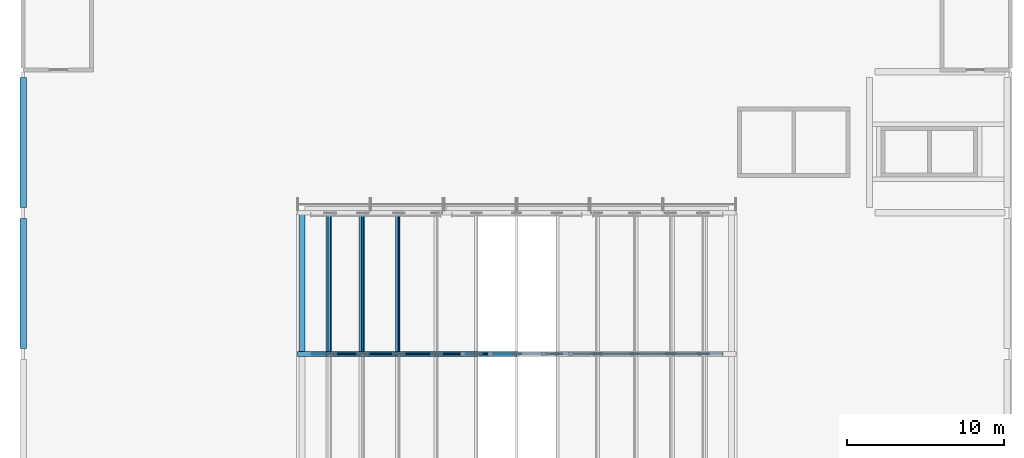
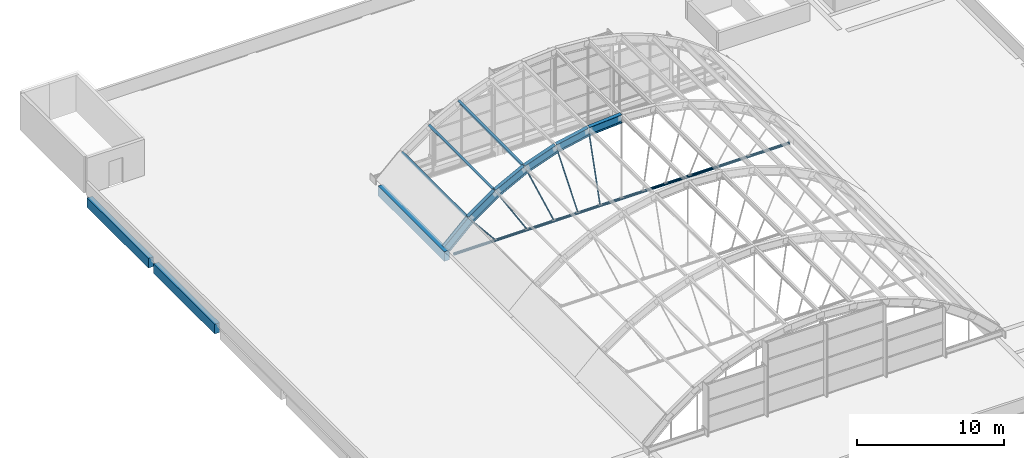
# One storey, part 12 of 43: 9 beams, 9 members.
"""IFC4 building model written with IfcOpenShell, lengths in metres."""

from ifc_helpers import new_model, si_unit, direction, frame, origin, origin_2d, place, context, subcontext, project, spatial, rectangle, hollow_circle, i_section, extrude, material, material_profile, profile_set, type_object, element, save


model = new_model("IFC4")

# Units and contexts
model_context = context("Model", 3, precision=1e-05, world=origin(), true_north=direction((0.0, 1.0)))
body_context = subcontext(model_context, "Body", "Model", "MODEL_VIEW")
ifc_project = project(units=[si_unit("LENGTHUNIT", "METRE"), si_unit("AREAUNIT", "SQUARE_METRE"), si_unit("VOLUMEUNIT", "CUBIC_METRE"), si_unit("PLANEANGLEUNIT", "RADIAN"), si_unit("MASSUNIT", "GRAM", prefix="KILO")], contexts=[model_context])

# Site, building, storey
site_placement = place(None, origin())
site = spatial("IfcSite", under=ifc_project, at=site_placement, CompositionType="ELEMENT")
building_placement = place(site_placement, origin())
building = spatial("IfcBuilding", under=site, at=building_placement, Name="Guidao Yard Department Store", CompositionType="ELEMENT")
storey_placement = place(building_placement, frame((0.0, 0.0, 28.5)))
storey = spatial("IfcBuildingStorey", under=building, at=storey_placement, Name="L06", CompositionType="ELEMENT", Elevation=28.5)

# Members
ifc_material_1 = material(Name="Steel Q355B", Category="steel")
ifc_material_profile_1 = material_profile(ifc_material_1, hollow_circle(Radius=0.056884765625, WallThickness=0.006103515625, at=origin_2d()), Name="CHS 114x6")
ifc_profile_set_1 = profile_set([ifc_material_profile_1], Name="Steel Q355B")
member_type_1 = type_object("IfcMemberType", Name="CHS 114x6", PredefinedType="BRACE", material=ifc_profile_set_1)
member_1_placement = place(storey_placement, frame((21.531982421875, 81.0, -0.33447265625), z_axis=(-0.634904146186, 0.0, 0.772590917081), x_axis=(0.0, -1.0, 0.0)))
element("IfcMember", 1, at=member_1_placement, inside=storey, type_object=member_type_1, Name="Roof web strut A04-01", PredefinedType="BRACE", context=body_context, shape_type="SweptSolid", body=[
    extrude(hollow_circle(Radius=0.056884765625, WallThickness=0.006103515625, at=origin_2d()), origin(), (0.0, 0.0, 1.0), 2.686279296875),
])
member_2_placement = place(storey_placement, frame((24.040283203125, 81.0, -0.33447265625), z_axis=(-0.522090893474, 0.0, 0.852889851594), x_axis=(0.0, -1.0, 0.0)))
element("IfcMember", 2, at=member_2_placement, inside=storey, type_object=member_type_1, Name="Roof web strut A04-02", PredefinedType="BRACE", context=body_context, shape_type="SweptSolid", body=[
    extrude(hollow_circle(Radius=0.056884765625, WallThickness=0.006103515625, at=origin_2d()), origin(), (0.0, 0.0, 1.0), 4.14404296875),
])
member_3_placement = place(storey_placement, frame((26.164306640625, 81.0, -0.33447265625), z_axis=(-0.399904458312, 0.0, 0.916556830874), x_axis=(0.0, -1.0, 0.0)))
element("IfcMember", 3, at=member_3_placement, inside=storey, type_object=member_type_1, Name="Roof web strut A04-03", PredefinedType="BRACE", context=body_context, shape_type="SweptSolid", body=[
    extrude(hollow_circle(Radius=0.056884765625, WallThickness=0.006103515625, at=origin_2d()), origin(), (0.0, 0.0, 1.0), 5.127685546875),
])
member_4_placement = place(storey_placement, frame((28.053955078125, 81.0, -0.33447265625), z_axis=(-0.270550525701, 0.0, 0.962705776986), x_axis=(0.0, -1.0, 0.0)))
element("IfcMember", 4, at=member_4_placement, inside=storey, type_object=member_type_1, Name="Roof web strut A04-04", PredefinedType="BRACE", context=body_context, shape_type="SweptSolid", body=[
    extrude(hollow_circle(Radius=0.056884765625, WallThickness=0.006103515625, at=origin_2d()), origin(), (0.0, 0.0, 1.0), 5.763427734375),
])
member_5_placement = place(storey_placement, frame((29.80810546875, 81.0, -0.33447265625), z_axis=(-0.136467360836, 0.0, 0.990644567656), x_axis=(0.0, -1.0, 0.0)))
element("IfcMember", 5, at=member_5_placement, inside=storey, type_object=member_type_1, Name="Roof web strut A04-05", PredefinedType="BRACE", context=body_context, shape_type="SweptSolid", body=[
    extrude(hollow_circle(Radius=0.056884765625, WallThickness=0.006103515625, at=origin_2d()), origin(), (0.0, 0.0, 1.0), 6.1220703125),
])
ifc_material_2 = material(Name="Steel Q355B", Category="steel")
ifc_material_profile_2 = material_profile(ifc_material_2, hollow_circle(Radius=0.109619140625, WallThickness=0.010009765625, at=origin_2d()), Name="CHS 219x10")
ifc_profile_set_2 = profile_set([ifc_material_profile_2], Name="Steel Q355B")
member_type_2 = type_object("IfcMemberType", Name="CHS 219x10", PredefinedType="BRACE", material=ifc_profile_set_2)
member_6_placement = place(storey_placement, frame((18.35009765625, 81.0, -0.449951171875), z_axis=(1.0, 0.0, 0.0), x_axis=(0.0, 1.0, 0.0)))
element("IfcMember", 6, at=member_6_placement, inside=storey, type_object=member_type_2, Name="Roof tie rod A04", PredefinedType="BRACE", context=body_context, shape_type="SweptSolid", body=[
    extrude(hollow_circle(Radius=0.109619140625, WallThickness=0.010009765625, at=origin_2d()), origin(), (0.0, 0.0, 1.0), 26.2998046875),
])
ifc_material_3 = material(Name="Steel Q355B", Category="steel")
ifc_material_profile_3 = material_profile(ifc_material_3, i_section(OverallWidth=0.175048828125, OverallDepth=0.35009765625, WebThickness=0.007080078125, FlangeThickness=0.010986328125, FilletRadius=0.012939453125, at=origin_2d()), Name="HN 350x175x7x11")
ifc_profile_set_3 = profile_set([ifc_material_profile_3], Name="Steel Q355B")
member_type_3 = type_object("IfcMemberType", Name="HN 350x175x7x11", PredefinedType="PURLIN", material=ifc_profile_set_3)
for number, where, z_axis, x_axis, name in (
    (7, (19.495849609375, 81.14990234375, 2.14306640625), (0.0, 1.0, 0.0), (-0.772569517273, 0.0, -0.634930185911), "Roof purlin A04-01"),
    (8, (21.604736328125, 81.14990234375, 3.643798828125), (0.0, 1.0, 0.0), (-0.852874237271, 0.0, -0.522116400239), "Roof purlin A04-02"),
    (9, (23.90576171875, 81.14990234375, 4.84228515625), (0.0, 1.0, 0.0), (-0.916571220375, 0.0, -0.399871476828), "Roof purlin A04-03"),
):
    element("IfcMember", number, at=place(storey_placement, frame(where, z_axis=z_axis, x_axis=x_axis)), inside=storey, type_object=member_type_3, Name=name, PredefinedType="PURLIN", context=body_context, shape_type="SweptSolid", body=[
        extrude(i_section(OverallWidth=0.175048828125, OverallDepth=0.35009765625, WebThickness=0.007080078125, FlangeThickness=0.010986328125, FilletRadius=0.012939453125, at=origin_2d()), origin(), (0.0, 0.0, 1.0), 8.7001953125),
    ])

# Beams
ifc_material_4 = material(Name="Steel Q355B", Category="steel")
ifc_material_profile_4 = material_profile(ifc_material_4, i_section(OverallWidth=0.300048828125, OverallDepth=0.699951171875, WebThickness=0.012939453125, FlangeThickness=0.02392578125, FilletRadius=0.01806640625, at=origin_2d()), Name="HN 700x300x13x24")
ifc_profile_set_4 = profile_set([ifc_material_profile_4], Name="Steel Q355B")
beam_type_1 = type_object("IfcBeamType", Name="HN 700x300x13x24", PredefinedType="BEAM", material=ifc_profile_set_4)
beam_1_placement = place(storey_placement, frame((17.74462890625, 81.0, 0.25439453125), z_axis=(0.726628290109, 0.0, 0.687030805724), x_axis=(0.0, 1.0, 0.0)))
element("IfcBeam", 10, at=beam_1_placement, inside=storey, type_object=beam_type_1, Name="Roof rib A04-01", PredefinedType="BEAM", context=body_context, shape_type="SweptSolid", body=[
    extrude(i_section(OverallWidth=0.300048828125, OverallDepth=0.699951171875, WebThickness=0.012939453125, FlangeThickness=0.02392578125, FilletRadius=0.01806640625, at=origin_2d()), origin(), (0.0, 0.0, 1.0), 2.533935546875),
])
beam_2_placement = place(storey_placement, frame((19.62353515625, 81.0, 2.026123046875), z_axis=(0.814735308412, 0.0, 0.579833059791), x_axis=(0.0, 1.0, 0.0)))
element("IfcBeam", 11, at=beam_2_placement, inside=storey, type_object=beam_type_1, Name="Roof rib A04-02", PredefinedType="BEAM", context=body_context, shape_type="SweptSolid", body=[
    extrude(i_section(OverallWidth=0.300048828125, OverallDepth=0.699951171875, WebThickness=0.012939453125, FlangeThickness=0.02392578125, FilletRadius=0.01806640625, at=origin_2d()), origin(), (0.0, 0.0, 1.0), 2.51611328125),
])
beam_3_placement = place(storey_placement, frame((21.71484375, 81.0, 3.51025390625), z_axis=(0.886910779875, 0.0, 0.461940763023), x_axis=(0.0, 1.0, 0.0)))
element("IfcBeam", 12, at=beam_3_placement, inside=storey, type_object=beam_type_1, Name="Roof rib A04-03", PredefinedType="BEAM", context=body_context, shape_type="SweptSolid", body=[
    extrude(i_section(OverallWidth=0.300048828125, OverallDepth=0.699951171875, WebThickness=0.012939453125, FlangeThickness=0.02392578125, FilletRadius=0.01806640625, at=origin_2d()), origin(), (0.0, 0.0, 1.0), 2.5224609375),
])
beam_4_placement = place(storey_placement, frame((23.996337890625, 81.0, 4.69482421875), z_axis=(0.94189041097, 0.0, 0.335920308588), x_axis=(0.0, 1.0, 0.0)))
element("IfcBeam", 13, at=beam_4_placement, inside=storey, type_object=beam_type_1, Name="Roof rib A04-04", PredefinedType="BEAM", context=body_context, shape_type="SweptSolid", body=[
    extrude(i_section(OverallWidth=0.300048828125, OverallDepth=0.699951171875, WebThickness=0.012939453125, FlangeThickness=0.02392578125, FilletRadius=0.01806640625, at=origin_2d()), origin(), (0.0, 0.0, 1.0), 2.52783203125),
])
beam_5_placement = place(storey_placement, frame((26.42333984375, 81.0, 5.556884765625), z_axis=(0.978991652307, 0.0, 0.203900330343), x_axis=(0.0, 1.0, 0.0)))
element("IfcBeam", 14, at=beam_5_placement, inside=storey, type_object=beam_type_1, Name="Roof rib A04-05", PredefinedType="BEAM", context=body_context, shape_type="SweptSolid", body=[
    extrude(i_section(OverallWidth=0.300048828125, OverallDepth=0.699951171875, WebThickness=0.012939453125, FlangeThickness=0.02392578125, FilletRadius=0.01806640625, at=origin_2d()), origin(), (0.0, 0.0, 1.0), 2.53125),
])
beam_6_placement = place(storey_placement, frame((28.94873046875, 81.0, 6.07958984375), z_axis=(0.997662835171, 0.0, 0.06832911033), x_axis=(0.0, 1.0, 0.0)))
element("IfcBeam", 15, at=beam_6_placement, inside=storey, type_object=beam_type_1, Name="Roof rib A04-06", PredefinedType="BEAM", context=body_context, shape_type="SweptSolid", body=[
    extrude(i_section(OverallWidth=0.300048828125, OverallDepth=0.699951171875, WebThickness=0.012939453125, FlangeThickness=0.02392578125, FilletRadius=0.01806640625, at=origin_2d()), origin(), (0.0, 0.0, 1.0), 2.533203125),
])
ifc_material_5 = material(Name="Concrete C40", Category="concrete")
ifc_material_profile_5 = material_profile(ifc_material_5, rectangle(XDim=0.39990234375, YDim=0.800048828125, at=origin_2d()), Name="Spandrel beam 400 x 800 C40")
ifc_profile_set_5 = profile_set([ifc_material_profile_5], Name="Concrete C40")
beam_type_2 = type_object("IfcBeamType", Name="Spandrel beam 400 x 800 C40", PredefinedType="SPANDREL", material=ifc_profile_set_5)
for number, where, z_axis, x_axis, name in (
    (16, (0.0, 81.35009765625, -0.39990234375), (0.0, 1.0, 0.0), (-1.0, 0.0, 0.0), "Beam EB23"),
    (17, (0.0, 90.35009765625, -0.39990234375), (0.0, 1.0, 0.0), (-1.0, 0.0, 0.0), "Beam EB24"),
):
    element("IfcBeam", number, at=place(storey_placement, frame(where, z_axis=z_axis, x_axis=x_axis)), inside=storey, type_object=beam_type_2, Name=name, PredefinedType="SPANDREL", context=body_context, shape_type="SweptSolid", body=[
        extrude(rectangle(XDim=0.39990234375, YDim=0.800048828125, at=origin_2d()), origin(), (0.0, 0.0, 1.0), 8.2998046875),
    ])
ifc_material_6 = material(Name="Concrete C40", Category="concrete")
ifc_material_profile_6 = material_profile(ifc_material_6, rectangle(XDim=0.39990234375, YDim=0.800048828125, at=origin_2d()), Name="Vault bearing beam 400 x 800 C40")
ifc_profile_set_6 = profile_set([ifc_material_profile_6], Name="Concrete C40")
beam_type_3 = type_object("IfcBeamType", Name="Vault bearing beam 400 x 800 C40", PredefinedType="BEAM", material=ifc_profile_set_6)
beam_7_placement = place(storey_placement, frame((17.800048828125, 81.0, -0.39990234375), z_axis=(0.0, 1.0, 0.0), x_axis=(-1.0, 0.0, 0.0)))
element("IfcBeam", 18, at=beam_7_placement, inside=storey, type_object=beam_type_3, Name="Beam VB04", PredefinedType="BEAM", context=body_context, shape_type="SweptSolid", body=[
    extrude(rectangle(XDim=0.39990234375, YDim=0.800048828125, at=origin_2d()), origin(), (0.0, 0.0, 1.0), 9.0),
])

save(model, "model.ifc")
